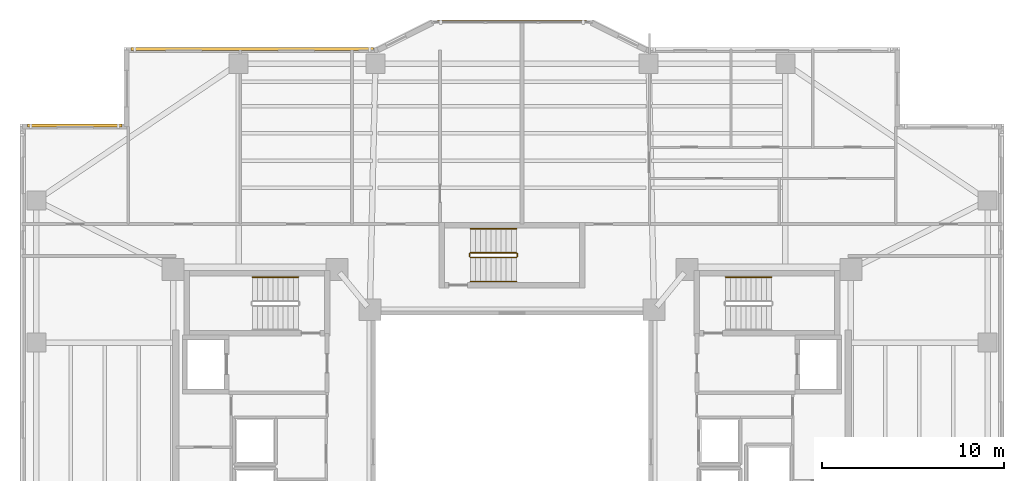
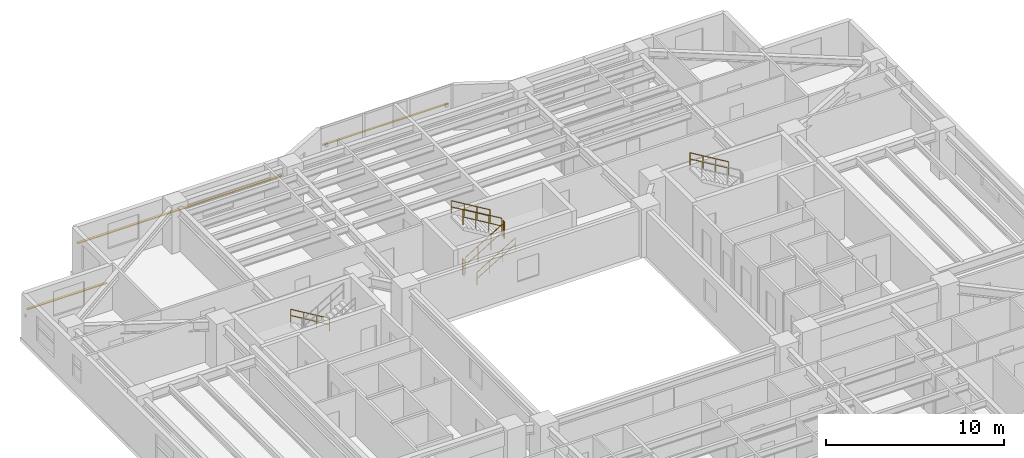
# One storey, part 17 of 18: 8 railings, 3 shading devices.
"""IFC4 building model written with IfcOpenShell, lengths in metres."""

import ifcopenshell
import ifcopenshell.guid

model = None  # the IFC model being written
_history = None  # IfcOwnerHistory: only IFC2X3 demands one
_inside = {}  # id of a spatial element -> (the spatial element, [elements in it])
_under = {}  # id of a project, library or spatial element -> (it, [spatial elements below it])
_declared = {}  # id of a project -> (the project, [libraries it declares])
_typed = {}  # id of a type object -> (the type object, [elements of that type])
_made_of = {}  # id of a material, layer set ... -> (it, [elements and type objects made of it])


def new_model(schema):
    """Start an empty IFC model of exactly this schema.

    Asked for "IFC4X3", IfcOpenShell would pick the latest addendum, in which some entities
    have other attributes; the version numbers below select the first issue.
    IFC2X3 requires an IfcOwnerHistory on every rooted entity: one is made here for all.
    """
    global model, _history
    if schema == "IFC4X3":
        model = ifcopenshell.file(schema_version=(4, 3, 0, 0))
    else:
        model = ifcopenshell.file(schema=schema)
    _inside.clear()
    _under.clear()
    _declared.clear()
    _typed.clear()
    _made_of.clear()
    _history = None
    if model.schema == "IFC2X3":
        org = make("IfcOrganization", Name="unknown")
        user = make(
            "IfcPersonAndOrganization",
            ThePerson=make("IfcPerson", FamilyName="unknown"),
            TheOrganization=org,
        )
        app = make(
            "IfcApplication",
            ApplicationDeveloper=org,
            Version="unknown",
            ApplicationFullName="unknown",
            ApplicationIdentifier="unknown",
        )
        _history = make(
            "IfcOwnerHistory",
            OwningUser=user,
            OwningApplication=app,
            ChangeAction="ADDED",
            CreationDate=0,
        )
    return model


def make(cls, **values):
    """One entity of the class cls with the attributes given. An attribute that is None is left unset."""
    return model.create_entity(
        cls, **{name: value for name, value in values.items() if value is not None}
    )


def rooted(cls, **values):
    """An entity with a GlobalId (a new one), such as an element, a storey or a relation."""
    return make(cls, GlobalId=ifcopenshell.guid.new(), OwnerHistory=_history, **values)


def si_unit(unit_type, name, prefix=None):
    """IfcSIUnit, for example si_unit("LENGTHUNIT", "METRE", prefix="MILLI")."""
    return make("IfcSIUnit", UnitType=unit_type, Prefix=prefix, Name=name)


def assignment(units):
    """IfcUnitAssignment: the units of a project."""
    return None if units is None else make("IfcUnitAssignment", Units=units)


def point(xyz):
    """IfcCartesianPoint."""
    return None if xyz is None else make("IfcCartesianPoint", Coordinates=xyz)


def direction(xyz):
    """IfcDirection."""
    return None if xyz is None else make("IfcDirection", DirectionRatios=xyz)


def frame(location, z_axis=None, x_axis=None):
    """IfcAxis2Placement3D, a coordinate frame: its origin and axes. An axis left out is left unset."""
    return make(
        "IfcAxis2Placement3D",
        Location=point(location),
        Axis=direction(z_axis),
        RefDirection=direction(x_axis),
    )


def frame_2d(location, x_axis=None):
    """IfcAxis2Placement2D, a coordinate frame in the plane: its origin and x axis."""
    return make(
        "IfcAxis2Placement2D", Location=point(location), RefDirection=direction(x_axis)
    )


def origin():
    """The frame at (0, 0, 0) with its axes left unset."""
    return frame((0.0, 0.0, 0.0))


def origin_2d():
    """The frame at (0, 0) in the plane with its x axis left unset."""
    return frame_2d((0.0, 0.0))


def place(relative_to, where):
    """IfcLocalPlacement: puts the frame where relative to a parent placement (None: the world)."""
    return make(
        "IfcLocalPlacement", PlacementRelTo=relative_to, RelativePlacement=where
    )


def context(
    kind, dimensions, precision=None, world=None, true_north=None, identifier=None
):
    """IfcGeometricRepresentationContext, for example the 3D "Model" context."""
    return make(
        "IfcGeometricRepresentationContext",
        ContextIdentifier=identifier,
        ContextType=kind,
        CoordinateSpaceDimension=dimensions,
        Precision=precision,
        WorldCoordinateSystem=world,
        TrueNorth=true_north,
    )


def subcontext(parent, identifier, kind, view, scale=None):
    """IfcGeometricRepresentationSubContext, for example "Body" below "Model"."""
    return make(
        "IfcGeometricRepresentationSubContext",
        ContextIdentifier=identifier,
        ContextType=kind,
        ParentContext=parent,
        TargetScale=scale,
        TargetView=view,
    )


def project(units=None, contexts=None):
    """IfcProject with its units and contexts."""
    return rooted(
        "IfcProject",
        Name="project",
        RepresentationContexts=contexts,
        UnitsInContext=assignment(units),
    )


def spatial(cls, under=None, at=None, **own):
    """A site, building, storey or space (cls), placed at a placement, below another one or the project."""
    s = rooted(cls, ObjectPlacement=at, **own)
    if under is not None:
        _under.setdefault(under.id(), (under, []))[1].append(s)
    return s


def profile(cls, at=None, kind="AREA", **sizes):
    """A parametric profile (cls). Its sizes go by their IFC names, for example OverallWidth=200.0."""
    return make(cls, ProfileType=kind, Position=at, **sizes)


def rectangle(**sizes):
    """IfcRectangleProfileDef."""
    return profile("IfcRectangleProfileDef", **sizes)


def circle(**sizes):
    """IfcCircleProfileDef."""
    return profile("IfcCircleProfileDef", **sizes)


def extrude(swept, where, along, depth):
    """IfcExtrudedAreaSolid: the profile swept, set in the frame where, extruded along a direction by depth."""
    return make(
        "IfcExtrudedAreaSolid",
        SweptArea=swept,
        Position=where,
        ExtrudedDirection=direction(along),
        Depth=depth,
    )


def shape(context_of_items, identifier, shape_type, items):
    """IfcShapeRepresentation: the items that make up one representation, for example the "Body"."""
    return make(
        "IfcShapeRepresentation",
        ContextOfItems=context_of_items,
        RepresentationIdentifier=identifier,
        RepresentationType=shape_type,
        Items=items,
    )


def material(Name=None, Category=None):
    """IfcMaterial."""
    return make("IfcMaterial", Name=Name, Category=Category)


def material_profile(
    of_material, cross_section, Name=None, Category=None, Priority=None
):
    """IfcMaterialProfile: a cross section and its material."""
    return make(
        "IfcMaterialProfile",
        Name=Name,
        Material=of_material,
        Profile=cross_section,
        Priority=Priority,
        Category=Category,
    )


def profile_set(profiles, Name=None, composite=None):
    """IfcMaterialProfileSet."""
    return make(
        "IfcMaterialProfileSet",
        Name=Name,
        MaterialProfiles=profiles,
        CompositeProfile=composite,
    )


def made_of(thing, what):
    """Note that an element or type object is made of a material, layer set ...; save() writes the relation."""
    if what is not None:
        _made_of.setdefault(what.id(), (what, []))[1].append(thing)
    return thing


def type_object(cls, material=None, **own):
    """A type object (cls), such as IfcWallType, which elements share."""
    return made_of(rooted(cls, **own), material)


def element(
    cls,
    number,
    at=None,
    inside=None,
    cuts=None,
    type_object=None,
    material=None,
    context=None,
    identifier="Body",
    shape_type=None,
    held_by="IfcProductDefinitionShape",
    body=None,
    shapes=None,
    **own,
):
    """One element of the class cls, such as IfcWall. Its Tag is "e" and its number.

    at: its placement. inside: the storey or other place that contains it. cuts: it is an
    opening in that element (IfcRelVoidsElement). A single representation is given by context,
    identifier, shape_type and body (its items); several are given by shapes. held_by: the class
    of the entity that holds the representations. save() writes the other relations.
    """
    e = rooted(cls, Tag="e%d" % number, ObjectPlacement=at, **own)
    if body is not None:
        shapes = [shape(context, identifier, shape_type, body)]
    if shapes is not None:
        e.Representation = make(held_by, Representations=shapes)
    if inside is not None:
        _inside.setdefault(inside.id(), (inside, []))[1].append(e)
    if cuts is not None:
        rooted(
            "IfcRelVoidsElement", RelatingBuildingElement=cuts, RelatedOpeningElement=e
        )
    if type_object is not None:
        _typed.setdefault(type_object.id(), (type_object, []))[1].append(e)
    return made_of(e, material)


def aggregate(whole, parts):
    """IfcRelAggregates: a whole, such as a stair, and the parts it consists of."""
    return rooted("IfcRelAggregates", RelatingObject=whole, RelatedObjects=parts)


def save(model, path):
    """Write the relations noted so far, then the file.

    IfcRelAggregates (storeys below a building ...), IfcRelContainedInSpatialStructure (elements
    in a storey), IfcRelDefinesByType, IfcRelAssociatesMaterial and IfcRelDeclares: one each for
    every whole, place, type object, material and project.
    """
    for whole, parts in _under.values():
        aggregate(whole, parts)
    for where, things in _inside.values():
        rooted(
            "IfcRelContainedInSpatialStructure",
            RelatedElements=things,
            RelatingStructure=where,
        )
    for kind, things in _typed.values():
        rooted("IfcRelDefinesByType", RelatedObjects=things, RelatingType=kind)
    for what, things in _made_of.values():
        rooted("IfcRelAssociatesMaterial", RelatedObjects=things, RelatingMaterial=what)
    for by, libraries in _declared.values():
        rooted("IfcRelDeclares", RelatingContext=by, RelatedDefinitions=libraries)
    model.write(path)


model = new_model("IFC4")

# Units and contexts
model_context = context("Model", 3, precision=1e-05, world=origin(), true_north=direction((0.0, 1.0)))
body_context = subcontext(model_context, "Body", "Model", "MODEL_VIEW")
ifc_project = project(units=[si_unit("LENGTHUNIT", "METRE"), si_unit("AREAUNIT", "SQUARE_METRE"), si_unit("VOLUMEUNIT", "CUBIC_METRE"), si_unit("PLANEANGLEUNIT", "RADIAN"), si_unit("MASSUNIT", "GRAM", prefix="KILO")], contexts=[model_context])

# Site, building, storey
site_placement = place(None, origin())
site = spatial("IfcSite", under=ifc_project, at=site_placement, CompositionType="ELEMENT")
building_placement = place(site_placement, origin())
building = spatial("IfcBuilding", under=site, at=building_placement, Name="Tarnavaz Court Tower", CompositionType="ELEMENT")
storey_placement = place(building_placement, frame((0.0, 0.0, 85.0)))
storey = spatial("IfcBuildingStorey", under=building, at=storey_placement, Name="L22", CompositionType="ELEMENT", Elevation=85.0)

# Railings
ifc_material_1 = material(Name="Brushed Stainless Steel", Category="steel")
railing_type_1 = type_object("IfcRailingType", Name="RL-HANDRAIL-900", PredefinedType="HANDRAIL", material=ifc_material_1)
for number, where, name in (
    (1, (-11.719970703125, 9.590087890625, 0.16748046875), "L22 ST-W1 stair handrail 1"),
    (2, (14.239990234375, 9.590087890625, 1.842529296875), "L22 ST-E1 stair handrail 2"),
):
    element("IfcRailing", number, at=place(storey_placement, frame(where)), inside=storey, type_object=railing_type_1, Name=name, PredefinedType="HANDRAIL", context=body_context, shape_type="SweptSolid", body=[
        extrude(circle(Radius=0.02392578125, at=origin_2d()), frame((0.0, 0.0, 0.8759765625), z_axis=(-0.858159760407, 0.0, 0.513382728203), x_axis=(0.0, -1.0, 0.0)), (0.0, 0.0, 1.0), 2.9365234375),
        extrude(circle(Radius=0.02392578125, at=origin_2d()), frame((0.0, 0.0, 0.449951171875), z_axis=(-0.858159760407, 0.0, 0.513382728203), x_axis=(0.0, -1.0, 0.0)), (0.0, 0.0, 1.0), 2.9365234375),
        extrude(circle(Radius=0.02099609375, at=origin_2d()), origin(), (0.0, 0.0, 1.0), 0.851806640625),
        extrude(circle(Radius=0.02099609375, at=origin_2d()), frame((-0.840087890625, 0.0, 0.50244140625)), (0.0, 0.0, 1.0), 0.851806640625),
        extrude(circle(Radius=0.02099609375, at=origin_2d()), frame((-1.679931640625, 0.0, 1.005126953125)), (0.0, 0.0, 1.0), 0.851806640625),
        extrude(circle(Radius=0.02099609375, at=origin_2d()), frame((-2.52001953125, 0.0, 1.507568359375)), (0.0, 0.0, 1.0), 0.851806640625),
    ])
railing_1_placement = place(storey_placement, frame((-2.280029296875, 9.35009765625, 0.16748046875)))
element("IfcRailing", 3, at=railing_1_placement, inside=storey, type_object=railing_type_1, Name="L22 ST-N1 stair handrail 1", PredefinedType="HANDRAIL", context=body_context, shape_type="SweptSolid", body=[
    extrude(circle(Radius=0.02392578125, at=origin_2d()), frame((0.0, 0.0, 0.8759765625), z_axis=(0.858159760407, 0.0, 0.513382728203), x_axis=(0.0, 1.0, 0.0)), (0.0, 0.0, 1.0), 2.9365234375),
    extrude(circle(Radius=0.02392578125, at=origin_2d()), frame((0.0, 0.0, 0.449951171875), z_axis=(0.858159760407, 0.0, 0.513382728203), x_axis=(0.0, 1.0, 0.0)), (0.0, 0.0, 1.0), 2.9365234375),
    extrude(circle(Radius=0.02099609375, at=origin_2d()), origin(), (0.0, 0.0, 1.0), 0.851806640625),
    extrude(circle(Radius=0.02099609375, at=origin_2d()), frame((0.840087890625, 0.0, 0.50244140625)), (0.0, 0.0, 1.0), 0.851806640625),
    extrude(circle(Radius=0.02099609375, at=origin_2d()), frame((1.679931640625, 0.0, 1.005126953125)), (0.0, 0.0, 1.0), 0.851806640625),
    extrude(circle(Radius=0.02099609375, at=origin_2d()), frame((2.52001953125, 0.0, 1.507568359375)), (0.0, 0.0, 1.0), 0.851806640625),
])
railing_2_placement = place(storey_placement, frame((0.239990234375, 12.239990234375, 1.842529296875)))
element("IfcRailing", 4, at=railing_2_placement, inside=storey, type_object=railing_type_1, Name="L22 ST-N1 stair handrail 2", PredefinedType="HANDRAIL", context=body_context, shape_type="SweptSolid", body=[
    extrude(circle(Radius=0.02392578125, at=origin_2d()), frame((0.0, 0.0, 0.8759765625), z_axis=(-0.858159760407, 0.0, 0.513382728203), x_axis=(0.0, -1.0, 0.0)), (0.0, 0.0, 1.0), 2.9365234375),
    extrude(circle(Radius=0.02392578125, at=origin_2d()), frame((0.0, 0.0, 0.449951171875), z_axis=(-0.858159760407, 0.0, 0.513382728203), x_axis=(0.0, -1.0, 0.0)), (0.0, 0.0, 1.0), 2.9365234375),
    extrude(circle(Radius=0.02099609375, at=origin_2d()), origin(), (0.0, 0.0, 1.0), 0.851806640625),
    extrude(circle(Radius=0.02099609375, at=origin_2d()), frame((-0.840087890625, 0.0, 0.50244140625)), (0.0, 0.0, 1.0), 0.851806640625),
    extrude(circle(Radius=0.02099609375, at=origin_2d()), frame((-1.679931640625, 0.0, 1.005126953125)), (0.0, 0.0, 1.0), 0.851806640625),
    extrude(circle(Radius=0.02099609375, at=origin_2d()), frame((-2.52001953125, 0.0, 1.507568359375)), (0.0, 0.0, 1.0), 0.851806640625),
])
ifc_material_2 = material(Name="Galvanized Painted Tubular Steel", Category="steel")
railing_type_2 = type_object("IfcRailingType", Name="RL-STGUARD-1120", PredefinedType="GUARDRAIL", material=ifc_material_2)
railing_3_placement = place(storey_placement, frame((-2.280029296875, 10.669921875, 0.16748046875)))
element("IfcRailing", 5, at=railing_3_placement, inside=storey, type_object=railing_type_2, Name="L22 ST-N1 stair guard 1", PredefinedType="GUARDRAIL", context=body_context, shape_type="SweptSolid", body=[
    extrude(circle(Radius=0.02392578125, at=origin_2d()), frame((0.0, 0.0, 1.09619140625), z_axis=(0.858159760407, 0.0, 0.513382728203), x_axis=(0.0, 1.0, 0.0)), (0.0, 0.0, 1.0), 2.9365234375),
    extrude(circle(Radius=0.02392578125, at=origin_2d()), frame((0.0, 0.0, 0.56005859375), z_axis=(0.858159760407, 0.0, 0.513382728203), x_axis=(0.0, 1.0, 0.0)), (0.0, 0.0, 1.0), 2.9365234375),
    extrude(circle(Radius=0.02099609375, at=origin_2d()), origin(), (0.0, 0.0, 1.0), 1.072021484375),
    extrude(circle(Radius=0.02099609375, at=origin_2d()), frame((0.840087890625, 0.0, 0.50244140625)), (0.0, 0.0, 1.0), 1.072021484375),
    extrude(circle(Radius=0.02099609375, at=origin_2d()), frame((1.679931640625, 0.0, 1.005126953125)), (0.0, 0.0, 1.0), 1.072021484375),
    extrude(circle(Radius=0.02099609375, at=origin_2d()), frame((2.52001953125, 0.0, 1.507568359375)), (0.0, 0.0, 1.0), 1.072021484375),
])
railing_4_placement = place(storey_placement, frame((0.2900390625, 10.719970703125, 1.675048828125)))
element("IfcRailing", 6, at=railing_4_placement, inside=storey, type_object=railing_type_2, Name="L22 ST-N1 stair guard 2", PredefinedType="GUARDRAIL", context=body_context, shape_type="SweptSolid", body=[
    extrude(circle(Radius=0.02392578125, at=origin_2d()), frame((0.0, 0.0, 1.09619140625), z_axis=(0.0, 1.0, 0.0), x_axis=(-1.0, 0.0, 0.0)), (0.0, 0.0, 1.0), 0.150146484375),
    extrude(circle(Radius=0.02392578125, at=origin_2d()), frame((0.0, 0.0, 0.56005859375), z_axis=(0.0, 1.0, 0.0), x_axis=(-1.0, 0.0, 0.0)), (0.0, 0.0, 1.0), 0.150146484375),
    extrude(circle(Radius=0.02099609375, at=origin_2d()), origin(), (0.0, 0.0, 1.0), 1.072021484375),
    extrude(circle(Radius=0.02099609375, at=origin_2d()), frame((0.0, 0.150146484375, 0.0)), (0.0, 0.0, 1.0), 1.072021484375),
])
railing_5_placement = place(storey_placement, frame((0.239990234375, 10.919921875, 1.842529296875)))
element("IfcRailing", 7, at=railing_5_placement, inside=storey, type_object=railing_type_2, Name="L22 ST-N1 stair guard 3", PredefinedType="GUARDRAIL", context=body_context, shape_type="SweptSolid", body=[
    extrude(circle(Radius=0.02392578125, at=origin_2d()), frame((0.0, 0.0, 1.09619140625), z_axis=(-0.858159760407, 0.0, 0.513382728203), x_axis=(0.0, -1.0, 0.0)), (0.0, 0.0, 1.0), 2.9365234375),
    extrude(circle(Radius=0.02392578125, at=origin_2d()), frame((0.0, 0.0, 0.56005859375), z_axis=(-0.858159760407, 0.0, 0.513382728203), x_axis=(0.0, -1.0, 0.0)), (0.0, 0.0, 1.0), 2.9365234375),
    extrude(circle(Radius=0.02099609375, at=origin_2d()), origin(), (0.0, 0.0, 1.0), 1.072021484375),
    extrude(circle(Radius=0.02099609375, at=origin_2d()), frame((-0.840087890625, 0.0, 0.50244140625)), (0.0, 0.0, 1.0), 1.072021484375),
    extrude(circle(Radius=0.02099609375, at=origin_2d()), frame((-1.679931640625, 0.0, 1.005126953125)), (0.0, 0.0, 1.0), 1.072021484375),
    extrude(circle(Radius=0.02099609375, at=origin_2d()), frame((-2.52001953125, 0.0, 1.507568359375)), (0.0, 0.0, 1.0), 1.072021484375),
])
railing_6_placement = place(storey_placement, frame((-2.330078125, 10.719970703125, 0.0)))
element("IfcRailing", 8, at=railing_6_placement, inside=storey, type_object=railing_type_2, Name="L22 ST-N1 stair guard 4", PredefinedType="GUARDRAIL", context=body_context, shape_type="SweptSolid", body=[
    extrude(circle(Radius=0.02392578125, at=origin_2d()), frame((0.0, 0.0, 1.09619140625), z_axis=(0.0, 1.0, 0.0), x_axis=(-1.0, 0.0, 0.0)), (0.0, 0.0, 1.0), 0.150146484375),
    extrude(circle(Radius=0.02392578125, at=origin_2d()), frame((0.0, 0.0, 0.56005859375), z_axis=(0.0, 1.0, 0.0), x_axis=(-1.0, 0.0, 0.0)), (0.0, 0.0, 1.0), 0.150146484375),
    extrude(circle(Radius=0.02099609375, at=origin_2d()), origin(), (0.0, 0.0, 1.0), 1.072021484375),
    extrude(circle(Radius=0.02099609375, at=origin_2d()), frame((0.0, 0.150146484375, 0.0)), (0.0, 0.0, 1.0), 1.072021484375),
])

# Shading devices
ifc_material_3 = material(Name="Kiln-Fired Khorasan Terracotta Ceramic", Category="masonry")
ifc_material_profile_1 = material_profile(ifc_material_3, rectangle(XDim=0.1201171875, YDim=0.06005859375, at=origin_2d()), Name="TC BAGUETTE 120X60")
ifc_profile_set_1 = profile_set([ifc_material_profile_1], Name="Kiln-Fired Khorasan Terracotta Ceramic")
shading_device_type_1 = type_object("IfcShadingDeviceType", Name="SD-BAG-120", PredefinedType="USERDEFINED", material=ifc_profile_set_1)
shading_device_1_placement = place(storey_placement, frame((-4.10009765625, 23.610107421875, 1.800048828125), z_axis=(1.0, 0.0, 0.0), x_axis=(0.0, 1.0, 0.0)))
element("IfcShadingDevice", 9, at=shading_device_1_placement, inside=storey, type_object=shading_device_type_1, Name="L22 Terracotta Baguette Screen PBG7", ObjectType="BAGUETTE", PredefinedType="USERDEFINED", context=body_context, shape_type="SweptSolid", body=[
    extrude(rectangle(XDim=0.1201171875, YDim=0.06005859375, at=origin_2d()), origin(), (0.0, 0.0, 1.0), 8.2001953125),
])
ifc_material_profile_2 = material_profile(ifc_material_3, rectangle(XDim=0.14990234375, YDim=0.06494140625, at=origin_2d()), Name="TC BAGUETTE 150X65")
ifc_profile_set_2 = profile_set([ifc_material_profile_2], Name="Kiln-Fired Khorasan Terracotta Ceramic")
shading_device_type_2 = type_object("IfcShadingDeviceType", Name="SD-BAG-150", PredefinedType="USERDEFINED", material=ifc_profile_set_2)
shading_device_2_placement = place(storey_placement, frame((-26.60009765625, 17.909912109375, 1.85009765625), z_axis=(1.0, 0.0, 0.0), x_axis=(0.0, 1.0, 0.0)))
element("IfcShadingDevice", 10, at=shading_device_2_placement, inside=storey, type_object=shading_device_type_2, Name="L22 Terracotta Baguette Screen FBG03", ObjectType="BAGUETTE", PredefinedType="USERDEFINED", context=body_context, shape_type="SweptSolid", body=[
    extrude(rectangle(XDim=0.14990234375, YDim=0.06494140625, at=origin_2d()), origin(), (0.0, 0.0, 1.0), 5.2001953125),
])
shading_device_3_placement = place(storey_placement, frame((-20.89990234375, 22.110107421875, 1.85009765625), z_axis=(1.0, 0.0, 0.0), x_axis=(0.0, 1.0, 0.0)))
element("IfcShadingDevice", 11, at=shading_device_3_placement, inside=storey, type_object=shading_device_type_2, Name="L22 Terracotta Baguette Screen FBG05", ObjectType="BAGUETTE", PredefinedType="USERDEFINED", context=body_context, shape_type="SweptSolid", body=[
    extrude(rectangle(XDim=0.14990234375, YDim=0.06494140625, at=origin_2d()), origin(), (0.0, 0.0, 1.0), 13.2998046875),
])

save(model, "model.ifc")
